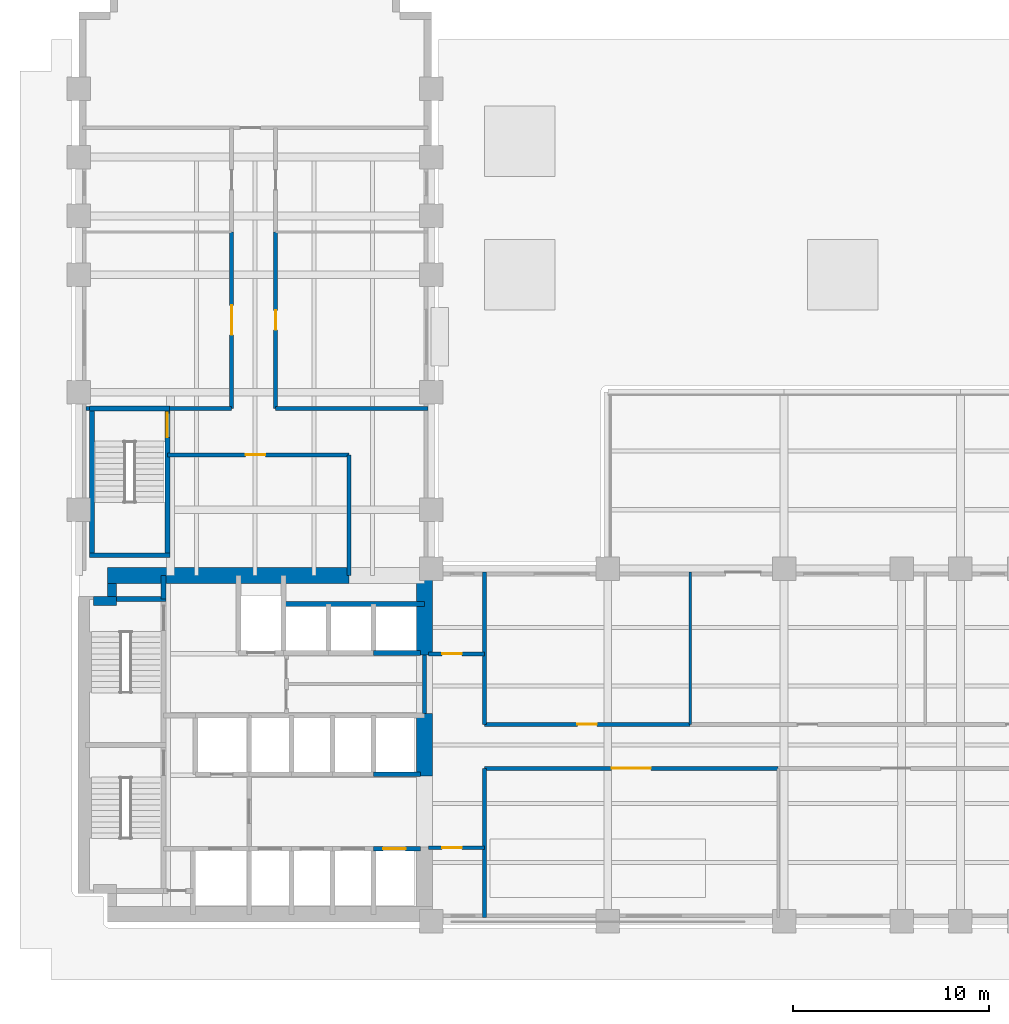
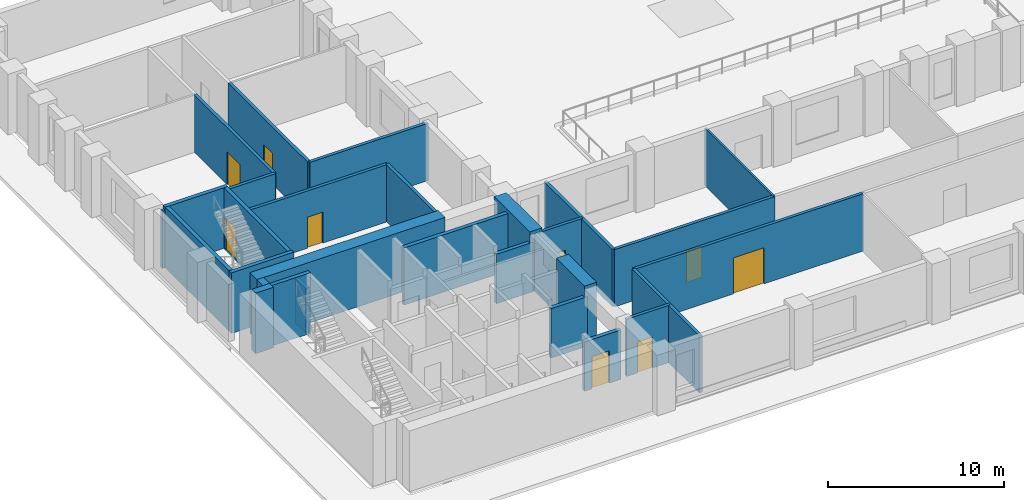
# One storey, part 5 of 9: 30 walls, 9 doors, 9 openings.
"""IFC4 building model written with IfcOpenShell, lengths in metres."""

from ifc_helpers import new_model, si_unit, direction, frame, frame_2d, origin, place, context, subcontext, project, spatial, rectangle, extrude, material, layer, layer_set, type_object, element, fill, save


model = new_model("IFC4")

# Units and contexts
model_context = context("Model", 3, precision=1e-05, world=origin(), true_north=direction((0.0, 1.0)))
body_context = subcontext(model_context, "Body", "Model", "MODEL_VIEW")
ifc_project = project(units=[si_unit("LENGTHUNIT", "METRE"), si_unit("AREAUNIT", "SQUARE_METRE"), si_unit("VOLUMEUNIT", "CUBIC_METRE"), si_unit("PLANEANGLEUNIT", "RADIAN"), si_unit("MASSUNIT", "GRAM", prefix="KILO")], contexts=[model_context])

# Site, building, storey
site_placement = place(None, origin())
site = spatial("IfcSite", under=ifc_project, at=site_placement, CompositionType="ELEMENT")
building_placement = place(site_placement, origin())
building = spatial("IfcBuilding", under=site, at=building_placement, Name="Mawjdan Bourse Tower", CompositionType="ELEMENT")
storey_placement = place(building_placement, frame((0.0, 0.0, 21.60009765625)))
storey = spatial("IfcBuildingStorey", under=building, at=storey_placement, Name="L04", CompositionType="ELEMENT", Elevation=21.60009765625)

# Wall
ifc_material_1 = material(Name="Gypsum Fireboard Assembly")
ifc_layer_1 = layer(ifc_material_1, 0.199951171875)
ifc_layer_set_1 = layer_set([ifc_layer_1], Name="Gypsum Fireboard Assembly")
wall_type_1 = type_object("IfcWallType", Name="WL-CMP-200", PredefinedType="PARTITIONING", material=ifc_layer_set_1)
wall_1_placement = place(storey_placement, frame((23.64990234375, 13.60009765625, 0.0), z_axis=(0.0, 0.0, 1.0), x_axis=(0.0, 1.0, 0.0)))
element("IfcWall", 1, at=wall_1_placement, inside=storey, type_object=wall_type_1, Name="L04 Core Restroom East Enclosing Wall", PredefinedType="PARTITIONING", context=body_context, shape_type="SweptSolid", body=[
    extrude(rectangle(XDim=3.0, YDim=0.199951171875, at=frame_2d((1.5, 0.0))), origin(), (0.0, 0.0, 1.0), 3.969970703125),
])

# Wall, opening, door
wall_2_placement = place(storey_placement, frame((23.85009765625, 6.75, 0.0), z_axis=(0.0, 0.0, 1.0), x_axis=(1.0, 0.0, 0.0)))
wall_2 = element("IfcWall", 2, at=wall_2_placement, inside=storey, type_object=wall_type_1, Name="L04 West Pocket North Wall", PredefinedType="PARTITIONING", context=body_context, shape_type="SweptSolid", body=[
    extrude(rectangle(XDim=2.849853515625, YDim=0.199951171875, at=frame_2d((1.4248046875, 0.0))), origin(), (0.0, 0.0, 1.0), 3.969970703125),
])
opening_1_placement = place(wall_2_placement, frame((0.699951171875, 0.0, 0.0)))
opening_1 = element("IfcOpeningElement", 3, at=opening_1_placement, cuts=wall_2, Name="Opening D-L04-17", PredefinedType="OPENING", context=body_context, shape_type="SweptSolid", body=[
    extrude(rectangle(XDim=1.0, YDim=2.14990234375, at=frame_2d((0.5, 1.074951171875))), frame((0.0, 0.10986328125, 0.0), z_axis=(0.0, -1.0, 0.0), x_axis=(1.0, 0.0, 0.0)), (0.0, 0.0, 1.0), 0.219970703125),
])
ifc_material_2 = material(Name="Hardwood Acoustic Leaf", Category="wood")
door_type_1 = type_object("IfcDoorType", Name="DR-OFC-1000", OperationType="NOTDEFINED", PredefinedType="DOOR", material=ifc_material_2)
door_1_placement = place(opening_1_placement, origin())
door_1 = element("IfcDoor", 4, at=door_1_placement, inside=storey, type_object=door_type_1, Name="L04 West Pocket Office Door D-L04-17", OperationType="SINGLE_SWING_RIGHT", OverallHeight=2.14990234375, OverallWidth=1.0, PredefinedType="DOOR", context=body_context, shape_type="SweptSolid", body=[
    extrude(rectangle(XDim=1.0, YDim=2.14990234375, at=frame_2d((0.5, 1.074951171875))), frame((0.0, 0.02490234375, 0.0), z_axis=(0.0, -1.0, 0.0), x_axis=(1.0, 0.0, 0.0)), (0.0, 0.0, 1.0), 0.050048828125),
])
fill(opening_1, door_1)

wall_3_placement = place(storey_placement, frame((23.85009765625, 16.64990234375, 0.0), z_axis=(0.0, 0.0, 1.0), x_axis=(1.0, 0.0, 0.0)))
wall_3 = element("IfcWall", 5, at=wall_3_placement, inside=storey, type_object=wall_type_1, Name="L04 West North Pocket Wall", PredefinedType="PARTITIONING", context=body_context, shape_type="SweptSolid", body=[
    extrude(rectangle(XDim=2.849853515625, YDim=0.199951171875, at=frame_2d((1.4248046875, 0.0))), origin(), (0.0, 0.0, 1.0), 3.969970703125),
])
opening_2_placement = place(wall_3_placement, frame((0.699951171875, 0.0, 0.0)))
opening_2 = element("IfcOpeningElement", 6, at=opening_2_placement, cuts=wall_3, Name="Opening D-L04-18", PredefinedType="OPENING", context=body_context, shape_type="SweptSolid", body=[
    extrude(rectangle(XDim=1.0, YDim=2.14990234375, at=frame_2d((0.5, 1.074951171875))), frame((0.0, 0.10986328125, 0.0), z_axis=(0.0, -1.0, 0.0), x_axis=(1.0, 0.0, 0.0)), (0.0, 0.0, 1.0), 0.219970703125),
])
door_2_placement = place(opening_2_placement, origin())
door_2 = element("IfcDoor", 7, at=door_2_placement, inside=storey, type_object=door_type_1, Name="L04 West North Pocket Door D-L04-18", OperationType="SINGLE_SWING_LEFT", OverallHeight=2.14990234375, OverallWidth=1.0, PredefinedType="DOOR", context=body_context, shape_type="SweptSolid", body=[
    extrude(rectangle(XDim=1.0, YDim=2.14990234375, at=frame_2d((0.5, 1.074951171875))), frame((0.0, 0.02490234375, 0.0), z_axis=(0.0, -1.0, 0.0), x_axis=(1.0, 0.0, 0.0)), (0.0, 0.0, 1.0), 0.050048828125),
])
fill(opening_2, door_2)

# Walls
wall_4_placement = place(storey_placement, frame((26.699951171875, 3.179931640625, 0.0), z_axis=(0.0, 0.0, 1.0), x_axis=(0.0, 1.0, 0.0)))
element("IfcWall", 8, at=wall_4_placement, inside=storey, type_object=wall_type_1, Name="L04 Vestibule South East Wall", PredefinedType="PARTITIONING", context=body_context, shape_type="SweptSolid", body=[
    extrude(rectangle(XDim=7.6201171875, YDim=0.199951171875, at=frame_2d((3.81005859375, 0.0))), origin(), (0.0, 0.0, 1.0), 3.969970703125),
])
wall_5_placement = place(storey_placement, frame((26.699951171875, 13.050048828125, 0.0), z_axis=(0.0, 0.0, 1.0), x_axis=(0.0, 1.0, 0.0)))
element("IfcWall", 9, at=wall_5_placement, inside=storey, type_object=wall_type_1, Name="L04 Vestibule North East Wall", PredefinedType="PARTITIONING", context=body_context, shape_type="SweptSolid", body=[
    extrude(rectangle(XDim=7.77001953125, YDim=0.199951171875, at=frame_2d((3.885009765625, 0.0))), origin(), (0.0, 0.0, 1.0), 3.969970703125),
])

# Wall, opening, door
wall_6_placement = place(storey_placement, frame((26.699951171875, 10.800048828125, 0.0), z_axis=(0.0, 0.0, 1.0), x_axis=(1.0, 0.0, 0.0)))
wall_6 = element("IfcWall", 10, at=wall_6_placement, inside=storey, type_object=wall_type_1, Name="L04 Trading Floor Corridor Wall", PredefinedType="PARTITIONING", context=body_context, shape_type="SweptSolid", body=[
    extrude(rectangle(XDim=15.0, YDim=0.199951171875, at=frame_2d((7.5, 0.0))), origin(), (0.0, 0.0, 1.0), 3.969970703125),
])
opening_3_placement = place(wall_6_placement, frame((6.5, 0.0, 0.0)))
opening_3 = element("IfcOpeningElement", 11, at=opening_3_placement, cuts=wall_6, Name="Opening D-L04-19", PredefinedType="OPENING", context=body_context, shape_type="SweptSolid", body=[
    extrude(rectangle(XDim=2.0, YDim=2.5, at=frame_2d((1.0, 1.25))), frame((0.0, 0.10986328125, 0.0), z_axis=(0.0, -1.0, 0.0), x_axis=(1.0, 0.0, 0.0)), (0.0, 0.0, 1.0), 0.219970703125),
])
ifc_material_3 = material(Name="Acoustic Veneered Timber", Category="wood")
door_type_2 = type_object("IfcDoorType", Name="DR-ASM-2000", OperationType="DOUBLE_DOOR_SINGLE_SWING", PredefinedType="DOOR", material=ifc_material_3)
door_3_placement = place(opening_3_placement, origin())
door_3 = element("IfcDoor", 12, at=door_3_placement, inside=storey, type_object=door_type_2, Name="L04 Trading Floor Door D-L04-19", OperationType="DOUBLE_DOOR_SINGLE_SWING", OverallHeight=2.5, OverallWidth=2.0, PredefinedType="DOOR", context=body_context, shape_type="SweptSolid", body=[
    extrude(rectangle(XDim=2.0, YDim=2.5, at=frame_2d((1.0, 1.25))), frame((0.0, 0.02490234375, 0.0), z_axis=(0.0, -1.0, 0.0), x_axis=(1.0, 0.0, 0.0)), (0.0, 0.0, 1.0), 0.050048828125),
])
fill(opening_3, door_3)

wall_7_placement = place(storey_placement, frame((26.699951171875, 13.050048828125, 0.0), z_axis=(0.0, 0.0, 1.0), x_axis=(1.0, 0.0, 0.0)))
wall_7 = element("IfcWall", 13, at=wall_7_placement, inside=storey, type_object=wall_type_1, Name="L04 Executive Office Corridor Wall", PredefinedType="PARTITIONING", context=body_context, shape_type="SweptSolid", body=[
    extrude(rectangle(XDim=10.5, YDim=0.199951171875, at=frame_2d((5.25, 0.0))), origin(), (0.0, 0.0, 1.0), 3.969970703125),
])
opening_4_placement = place(wall_7_placement, frame((4.75, 0.0, 0.0)))
opening_4 = element("IfcOpeningElement", 14, at=opening_4_placement, cuts=wall_7, Name="Opening D-L04-22", PredefinedType="OPENING", context=body_context, shape_type="SweptSolid", body=[
    extrude(rectangle(XDim=1.0, YDim=2.14990234375, at=frame_2d((0.5, 1.074951171875))), frame((0.0, 0.10986328125, 0.0), z_axis=(0.0, -1.0, 0.0), x_axis=(1.0, 0.0, 0.0)), (0.0, 0.0, 1.0), 0.219970703125),
])
door_4_placement = place(opening_4_placement, origin())
door_4 = element("IfcDoor", 15, at=door_4_placement, inside=storey, type_object=door_type_1, Name="L04 Executive Office Door D-L04-22", OperationType="SINGLE_SWING_LEFT", OverallHeight=2.14990234375, OverallWidth=1.0, PredefinedType="DOOR", context=body_context, shape_type="SweptSolid", body=[
    extrude(rectangle(XDim=1.0, YDim=2.14990234375, at=frame_2d((0.5, 1.074951171875))), frame((0.0, 0.02490234375, 0.0), z_axis=(0.0, -1.0, 0.0), x_axis=(1.0, 0.0, 0.0)), (0.0, 0.0, 1.0), 0.050048828125),
])
fill(opening_4, door_4)

wall_8_placement = place(storey_placement, frame((10.52001953125, 26.800048828125, 0.0), z_axis=(0.0, 0.0, 1.0), x_axis=(1.0, 0.0, 0.0)))
wall_8 = element("IfcWall", 16, at=wall_8_placement, inside=storey, type_object=wall_type_1, Name="L04 North Throat North Wall", PredefinedType="PARTITIONING", context=body_context, shape_type="SweptSolid", body=[
    extrude(rectangle(XDim=9.280029296875, YDim=0.199951171875, at=frame_2d((4.64013671875, 0.0))), origin(), (0.0, 0.0, 1.0), 3.969970703125),
])
opening_5_placement = place(wall_8_placement, frame((4.0, 0.0, 0.0)))
opening_5 = element("IfcOpeningElement", 17, at=opening_5_placement, cuts=wall_8, Name="Opening D-L04-26", PredefinedType="OPENING", context=body_context, shape_type="SweptSolid", body=[
    extrude(rectangle(XDim=1.0, YDim=2.14990234375, at=frame_2d((0.5, 1.074951171875))), frame((0.0, 0.10986328125, 0.0), z_axis=(0.0, -1.0, 0.0), x_axis=(1.0, 0.0, 0.0)), (0.0, 0.0, 1.0), 0.219970703125),
])
door_5_placement = place(opening_5_placement, origin())
door_5 = element("IfcDoor", 18, at=door_5_placement, inside=storey, type_object=door_type_1, Name="L04 North Throat Suite Door D-L04-26", OperationType="SINGLE_SWING_LEFT", OverallHeight=2.14990234375, OverallWidth=1.0, PredefinedType="DOOR", context=body_context, shape_type="SweptSolid", body=[
    extrude(rectangle(XDim=1.0, YDim=2.14990234375, at=frame_2d((0.5, 1.074951171875))), frame((0.0, 0.02490234375, 0.0), z_axis=(0.0, -1.0, 0.0), x_axis=(1.0, 0.0, 0.0)), (0.0, 0.0, 1.0), 0.050048828125),
])
fill(opening_5, door_5)

# Walls
wall_9_placement = place(storey_placement, frame((19.800048828125, 20.64990234375, 0.0), z_axis=(0.0, 0.0, 1.0), x_axis=(0.0, 1.0, 0.0)))
element("IfcWall", 19, at=wall_9_placement, inside=storey, type_object=wall_type_1, Name="L04 North Throat East Wall", PredefinedType="PARTITIONING", context=body_context, shape_type="SweptSolid", body=[
    extrude(rectangle(XDim=6.150146484375, YDim=0.199951171875, at=frame_2d((3.0751953125, 0.0))), origin(), (0.0, 0.0, 1.0), 3.969970703125),
])
wall_10_placement = place(storey_placement, frame((6.3798828125, 29.179931640625, 0.0), z_axis=(0.0, 0.0, 1.0), x_axis=(1.0, 0.0, 0.0)))
element("IfcWall", 20, at=wall_10_placement, inside=storey, type_object=wall_type_1, Name="L04 North West Band ST3 West Return", PredefinedType="PARTITIONING", context=body_context, shape_type="SweptSolid", body=[
    extrude(rectangle(XDim=0.175048828125, YDim=0.199951171875, at=frame_2d((0.08740234375, 0.0))), origin(), (0.0, 0.0, 1.0), 3.969970703125),
])
wall_11_placement = place(storey_placement, frame((10.6298828125, 29.179931640625, 0.0), z_axis=(0.0, 0.0, 1.0), x_axis=(1.0, 0.0, 0.0)))
element("IfcWall", 21, at=wall_11_placement, inside=storey, type_object=wall_type_1, Name="L04 North West Band South Wall", PredefinedType="PARTITIONING", context=body_context, shape_type="SweptSolid", body=[
    extrude(rectangle(XDim=3.170166015625, YDim=0.199951171875, at=frame_2d((1.5849609375, 0.0))), origin(), (0.0, 0.0, 1.0), 3.969970703125),
])
wall_12_placement = place(storey_placement, frame((16.050048828125, 29.179931640625, 0.0), z_axis=(0.0, 0.0, 1.0), x_axis=(1.0, 0.0, 0.0)))
element("IfcWall", 22, at=wall_12_placement, inside=storey, type_object=wall_type_1, Name="L04 North East Band South Wall", PredefinedType="PARTITIONING", context=body_context, shape_type="SweptSolid", body=[
    extrude(rectangle(XDim=7.77001953125, YDim=0.199951171875, at=frame_2d((3.885009765625, 0.0))), origin(), (0.0, 0.0, 1.0), 3.969970703125),
])

# Wall, opening, door
wall_13_placement = place(storey_placement, frame((13.800048828125, 29.179931640625, 0.0), z_axis=(0.0, 0.0, 1.0), x_axis=(0.0, 1.0, 0.0)))
wall_13 = element("IfcWall", 23, at=wall_13_placement, inside=storey, type_object=wall_type_1, Name="L04 Conference Room Corridor Wall", PredefinedType="PARTITIONING", context=body_context, shape_type="SweptSolid", body=[
    extrude(rectangle(XDim=9.0, YDim=0.199951171875, at=frame_2d((4.5, 0.0))), origin(), (0.0, 0.0, 1.0), 3.969970703125),
])
opening_6_placement = place(wall_13_placement, frame((3.75, 0.0, 0.0)))
opening_6 = element("IfcOpeningElement", 24, at=opening_6_placement, cuts=wall_13, Name="Opening D-L04-27", PredefinedType="OPENING", context=body_context, shape_type="SweptSolid", body=[
    extrude(rectangle(XDim=1.5, YDim=2.300048828125, at=frame_2d((0.75, 1.14990234375))), frame((0.0, 0.10986328125, 0.0), z_axis=(0.0, -1.0, 0.0), x_axis=(1.0, 0.0, 0.0)), (0.0, 0.0, 1.0), 0.219970703125),
])
ifc_material_4 = material(Name="Acoustic Glazed Timber", Category="wood")
door_type_3 = type_object("IfcDoorType", Name="DR-CNF-1500", OperationType="DOUBLE_DOOR_SINGLE_SWING", PredefinedType="DOOR", material=ifc_material_4)
door_6_placement = place(opening_6_placement, origin())
door_6 = element("IfcDoor", 25, at=door_6_placement, inside=storey, type_object=door_type_3, Name="L04 Conference Room Door D-L04-27", OperationType="DOUBLE_DOOR_SINGLE_SWING", OverallHeight=2.300048828125, OverallWidth=1.5, PredefinedType="DOOR", context=body_context, shape_type="SweptSolid", body=[
    extrude(rectangle(XDim=1.5, YDim=2.300048828125, at=frame_2d((0.75, 1.14990234375))), frame((0.0, 0.02490234375, 0.0), z_axis=(0.0, -1.0, 0.0), x_axis=(1.0, 0.0, 0.0)), (0.0, 0.0, 1.0), 0.050048828125),
])
fill(opening_6, door_6)

wall_14_placement = place(storey_placement, frame((16.050048828125, 29.179931640625, 0.0), z_axis=(0.0, 0.0, 1.0), x_axis=(0.0, 1.0, 0.0)))
wall_14 = element("IfcWall", 26, at=wall_14_placement, inside=storey, type_object=wall_type_1, Name="L04 Reception Salon Corridor Wall", PredefinedType="PARTITIONING", context=body_context, shape_type="SweptSolid", body=[
    extrude(rectangle(XDim=9.0, YDim=0.199951171875, at=frame_2d((4.5, 0.0))), origin(), (0.0, 0.0, 1.0), 3.969970703125),
])
opening_7_placement = place(wall_14_placement, frame((4.0, 0.0, 0.0)))
opening_7 = element("IfcOpeningElement", 27, at=opening_7_placement, cuts=wall_14, Name="Opening D-L04-29", PredefinedType="OPENING", context=body_context, shape_type="SweptSolid", body=[
    extrude(rectangle(XDim=1.0, YDim=2.14990234375, at=frame_2d((0.5, 1.074951171875))), frame((0.0, 0.10986328125, 0.0), z_axis=(0.0, -1.0, 0.0), x_axis=(1.0, 0.0, 0.0)), (0.0, 0.0, 1.0), 0.219970703125),
])
door_7_placement = place(opening_7_placement, origin())
door_7 = element("IfcDoor", 28, at=door_7_placement, inside=storey, type_object=door_type_1, Name="L04 Reception Salon Door D-L04-29", OperationType="SINGLE_SWING_LEFT", OverallHeight=2.14990234375, OverallWidth=1.0, PredefinedType="DOOR", context=body_context, shape_type="SweptSolid", body=[
    extrude(rectangle(XDim=1.0, YDim=2.14990234375, at=frame_2d((0.5, 1.074951171875))), frame((0.0, 0.02490234375, 0.0), z_axis=(0.0, -1.0, 0.0), x_axis=(1.0, 0.0, 0.0)), (0.0, 0.0, 1.0), 0.050048828125),
])
fill(opening_7, door_7)

# Walls
ifc_material_5 = material(Name="Concrete C60/75", Category="concrete")
ifc_layer_2 = layer(ifc_material_5, 0.449951171875)
ifc_layer_set_2 = layer_set([ifc_layer_2], Name="Concrete C60/75")
wall_type_2 = type_object("IfcWallType", Name="WL-CORE-450", PredefinedType="SHEAR", material=ifc_layer_set_2)
wall_15_placement = place(storey_placement, frame((6.75, 19.35009765625, 0.0), z_axis=(0.0, 0.0, 1.0), x_axis=(1.0, 0.0, 0.0)))
element("IfcWall", 29, at=wall_15_placement, inside=storey, type_object=wall_type_2, Name="L04 Rear Core Shear Wall NW-X", PredefinedType="SHEAR", context=body_context, shape_type="SweptSolid", body=[
    extrude(rectangle(XDim=1.175048828125, YDim=0.449951171875, at=frame_2d((0.58740234375, 0.0))), origin(), (0.0, 0.0, 1.0), 4.199951171875),
])
wall_16_placement = place(storey_placement, frame((7.699951171875, 19.574951171875, 0.0), z_axis=(0.0, 0.0, 1.0), x_axis=(0.0, 1.0, 0.0)))
element("IfcWall", 30, at=wall_16_placement, inside=storey, type_object=wall_type_2, Name="L04 Rear Core Shear Wall NW-Y", PredefinedType="SHEAR", context=body_context, shape_type="SweptSolid", body=[
    extrude(rectangle(XDim=0.675048828125, YDim=0.449951171875, at=frame_2d((0.33740234375, 0.0))), origin(), (0.0, 0.0, 1.0), 4.199951171875),
])
ifc_material_6 = material(Name="Concrete C80/95", Category="concrete")
ifc_layer_3 = layer(ifc_material_6, 0.800048828125)
ifc_layer_set_3 = layer_set([ifc_layer_3], Name="Concrete C80/95")
wall_type_3 = type_object("IfcWallType", Name="WL-CORE-800", PredefinedType="SHEAR", material=ifc_layer_set_3)
wall_17_placement = place(storey_placement, frame((7.47509765625, 20.64990234375, 0.0), z_axis=(0.0, 0.0, 1.0), x_axis=(1.0, 0.0, 0.0)))
element("IfcWall", 31, at=wall_17_placement, inside=storey, type_object=wall_type_3, Name="L04 Rear Core Shear Wall N", PredefinedType="SHEAR", context=body_context, shape_type="SweptSolid", body=[
    extrude(rectangle(XDim=12.324951171875, YDim=0.800048828125, at=frame_2d((6.16259765625, 0.0))), origin(), (0.0, 0.0, 1.0), 4.199951171875),
])
wall_18_placement = place(storey_placement, frame((23.64990234375, 10.39990234375, 0.0), z_axis=(0.0, 0.0, 1.0), x_axis=(0.0, 1.0, 0.0)))
element("IfcWall", 32, at=wall_18_placement, inside=storey, type_object=wall_type_3, Name="L04 Rear Core Shear Wall E2", PredefinedType="SHEAR", context=body_context, shape_type="SweptSolid", body=[
    extrude(rectangle(XDim=3.2001953125, YDim=0.800048828125, at=frame_2d((1.60009765625, 0.0))), origin(), (0.0, 0.0, 1.0), 4.199951171875),
])
wall_19_placement = place(storey_placement, frame((23.64990234375, 16.60009765625, 0.0), z_axis=(0.0, 0.0, 1.0), x_axis=(0.0, 1.0, 0.0)))
element("IfcWall", 33, at=wall_19_placement, inside=storey, type_object=wall_type_3, Name="L04 Rear Core Shear Wall E3", PredefinedType="SHEAR", context=body_context, shape_type="SweptSolid", body=[
    extrude(rectangle(XDim=4.0498046875, YDim=0.800048828125, at=frame_2d((2.02490234375, 0.0))), origin(), (0.0, 0.0, 1.0), 4.199951171875),
])
ifc_material_7 = material(Name="Gypsum Partition")
ifc_layer_4 = layer(ifc_material_7, 0.125)
ifc_layer_set_4 = layer_set([ifc_layer_4], Name="Gypsum Partition")
wall_type_4 = type_object("IfcWallType", Name="WL-PRT-125", PredefinedType="PARTITIONING", material=ifc_layer_set_4)
wall_20_placement = place(storey_placement, frame((37.199951171875, 13.050048828125, 0.0), z_axis=(0.0, 0.0, 1.0), x_axis=(0.0, 1.0, 0.0)))
element("IfcWall", 34, at=wall_20_placement, inside=storey, type_object=wall_type_4, Name="L04 Reception Salon Partition", PredefinedType="PARTITIONING", context=body_context, shape_type="SweptSolid", body=[
    extrude(rectangle(XDim=7.77001953125, YDim=0.125, at=frame_2d((3.885009765625, 0.0))), origin(), (0.0, 0.0, 1.0), 3.969970703125),
])
ifc_material_8 = material(Name="Concrete C50/60", Category="concrete")
ifc_layer_5 = layer(ifc_material_8, 0.25)
ifc_layer_set_5 = layer_set([ifc_layer_5], Name="Concrete C50/60")
wall_type_5 = type_object("IfcWallType", Name="WL-SHFT-250", PredefinedType="PARTITIONING", material=ifc_layer_set_5)
wall_21_placement = place(storey_placement, frame((10.330078125, 19.449951171875, 0.0), z_axis=(0.0, 0.0, 1.0), x_axis=(0.0, 1.0, 0.0)))
element("IfcWall", 35, at=wall_21_placement, inside=storey, type_object=wall_type_5, Name="L04 NW Riser East Wall", PredefinedType="PARTITIONING", context=body_context, shape_type="SweptSolid", body=[
    extrude(rectangle(XDim=1.199951171875, YDim=0.25, at=frame_2d((0.60009765625, 0.0))), origin(), (0.0, 0.0, 1.0), 3.114013671875),
])
wall_22_placement = place(storey_placement, frame((21.050048828125, 16.699951171875, 0.0), z_axis=(0.0, 0.0, 1.0), x_axis=(1.0, 0.0, 0.0)))
element("IfcWall", 36, at=wall_22_placement, inside=storey, type_object=wall_type_5, Name="L04 PH-03 Front Wall", PredefinedType="PARTITIONING", context=body_context, shape_type="SweptSolid", body=[
    extrude(rectangle(XDim=2.39990234375, YDim=0.25, at=frame_2d((1.199951171875, 0.0))), origin(), (0.0, 0.0, 1.0), 3.42578125),
])
wall_23_placement = place(storey_placement, frame((16.449951171875, 19.199951171875, 0.0), z_axis=(0.0, 0.0, 1.0), x_axis=(1.0, 0.0, 0.0)))
element("IfcWall", 37, at=wall_23_placement, inside=storey, type_object=wall_type_5, Name="L04 PH Bank North Shaft Back Wall", PredefinedType="PARTITIONING", context=body_context, shape_type="SweptSolid", body=[
    extrude(rectangle(XDim=7.199951171875, YDim=0.25, at=frame_2d((3.60009765625, 0.0))), origin(), (0.0, 0.0, 1.0), 3.969970703125),
])

# Wall, opening, door
wall_24_placement = place(storey_placement, frame((21.050048828125, 6.699951171875, 0.0), z_axis=(0.0, 0.0, 1.0), x_axis=(1.0, 0.0, 0.0)))
wall_24 = element("IfcWall", 38, at=wall_24_placement, inside=storey, type_object=wall_type_5, Name="L04 PL-03 Front Wall", PredefinedType="PARTITIONING", context=body_context, shape_type="SweptSolid", body=[
    extrude(rectangle(XDim=2.39990234375, YDim=0.25, at=frame_2d((1.199951171875, 0.0))), origin(), (0.0, 0.0, 1.0), 3.42578125),
])
opening_8_placement = place(wall_24_placement, frame((0.47998046875, 0.0, 0.0)))
opening_8 = element("IfcOpeningElement", 39, at=opening_8_placement, cuts=wall_24, Name="Opening LD-L04-13", PredefinedType="OPENING", context=body_context, shape_type="SweptSolid", body=[
    extrude(rectangle(XDim=1.14990234375, YDim=2.25, at=frame_2d((0.574951171875, 1.125))), frame((0.0, 0.135009765625, 0.0), z_axis=(0.0, -1.0, 0.0), x_axis=(1.0, 0.0, 0.0)), (0.0, 0.0, 1.0), 0.27001953125),
])
ifc_material_9 = material(Name="Brushed Stainless Steel", Category="steel")
door_type_4 = type_object("IfcDoorType", Name="LD-PAS-1150", OperationType="DOUBLE_DOOR_SLIDING", PredefinedType="DOOR", material=ifc_material_9)
door_8_placement = place(opening_8_placement, origin())
door_8 = element("IfcDoor", 40, at=door_8_placement, inside=storey, type_object=door_type_4, Name="L04 Lift PL-03 Landing Door LD-L04-13", OperationType="DOUBLE_DOOR_SLIDING", OverallHeight=2.25, OverallWidth=1.14990234375, PredefinedType="DOOR", context=body_context, shape_type="SweptSolid", body=[
    extrude(rectangle(XDim=1.14990234375, YDim=2.25, at=frame_2d((0.574951171875, 1.125))), frame((0.0, 0.02490234375, 0.0), z_axis=(0.0, -1.0, 0.0), x_axis=(1.0, 0.0, 0.0)), (0.0, 0.0, 1.0), 0.050048828125),
])
fill(opening_8, door_8)

# Walls
wall_25_placement = place(storey_placement, frame((21.050048828125, 10.5, 0.0), z_axis=(0.0, 0.0, 1.0), x_axis=(1.0, 0.0, 0.0)))
element("IfcWall", 41, at=wall_25_placement, inside=storey, type_object=wall_type_5, Name="L04 PM-04 Front Wall", PredefinedType="PARTITIONING", context=body_context, shape_type="SweptSolid", body=[
    extrude(rectangle(XDim=2.39990234375, YDim=0.25, at=frame_2d((1.199951171875, 0.0))), origin(), (0.0, 0.0, 1.0), 3.42578125),
])
ifc_layer_6 = layer(ifc_material_8, 0.25)
ifc_layer_set_6 = layer_set([ifc_layer_6], Name="Concrete C50/60")
wall_type_6 = type_object("IfcWallType", Name="WL-STRW-250", PredefinedType="SHEAR", material=ifc_layer_set_6)
wall_26_placement = place(storey_placement, frame((7.699951171875, 19.449951171875, 0.0), z_axis=(0.0, 0.0, 1.0), x_axis=(1.0, 0.0, 0.0)))
element("IfcWall", 42, at=wall_26_placement, inside=storey, type_object=wall_type_6, Name="L04 Stairwell ST2 North Shaft Wall", PredefinedType="SHEAR", context=body_context, shape_type="SweptSolid", body=[
    extrude(rectangle(XDim=2.755126953125, YDim=0.25, at=frame_2d((1.37744140625, 0.0))), origin(), (0.0, 0.0, 1.0), 4.199951171875),
])
for number, where, z_axis, x_axis, name in (
    (43, (6.554931640625, 21.679931640625, 0.0), (0.0, 0.0, 1.0), (1.0, 0.0, 0.0), "L04 ST3 South Shaft Wall"),
    (44, (6.554931640625, 29.179931640625, 0.0), (0.0, 0.0, 1.0), (1.0, 0.0, 0.0), "L04 ST3 North Shaft Wall"),
):
    element("IfcWall", number, at=place(storey_placement, frame(where, z_axis=z_axis, x_axis=x_axis)), inside=storey, type_object=wall_type_6, Name=name, PredefinedType="SHEAR", context=body_context, shape_type="SweptSolid", body=[
        extrude(rectangle(XDim=4.090087890625, YDim=0.25, at=frame_2d((2.044921875, 0.0))), origin(), (0.0, 0.0, 1.0), 4.199951171875),
    ])
wall_27_placement = place(storey_placement, frame((6.679931640625, 21.679931640625, 0.0), z_axis=(0.0, 0.0, 1.0), x_axis=(0.0, 1.0, 0.0)))
element("IfcWall", 45, at=wall_27_placement, inside=storey, type_object=wall_type_6, Name="L04 ST3 West Shaft Wall", PredefinedType="SHEAR", context=body_context, shape_type="SweptSolid", body=[
    extrude(rectangle(XDim=7.5, YDim=0.25, at=frame_2d((3.75, 0.0))), origin(), (0.0, 0.0, 1.0), 4.199951171875),
])

# Wall, opening, door
wall_28_placement = place(storey_placement, frame((10.52001953125, 21.679931640625, 0.0), z_axis=(0.0, 0.0, 1.0), x_axis=(0.0, 1.0, 0.0)))
wall_28 = element("IfcWall", 46, at=wall_28_placement, inside=storey, type_object=wall_type_6, Name="L04 ST3 East Shaft Wall", PredefinedType="SHEAR", context=body_context, shape_type="SweptSolid", body=[
    extrude(rectangle(XDim=7.5, YDim=0.25, at=frame_2d((3.75, 0.0))), origin(), (0.0, 0.0, 1.0), 4.199951171875),
])
opening_9_placement = place(wall_28_placement, frame((6.02001953125, 0.0, 0.0)))
opening_9 = element("IfcOpeningElement", 47, at=opening_9_placement, cuts=wall_28, Name="Opening SD-L04-16", PredefinedType="OPENING", context=body_context, shape_type="SweptSolid", body=[
    extrude(rectangle(XDim=1.25, YDim=2.199951171875, at=frame_2d((0.625, 1.10009765625))), frame((0.0, 0.135009765625, 0.0), z_axis=(0.0, -1.0, 0.0), x_axis=(1.0, 0.0, 0.0)), (0.0, 0.0, 1.0), 0.27001953125),
])
ifc_material_10 = material(Name="Fire-Rated Steel Leaf", Category="steel")
door_type_5 = type_object("IfcDoorType", Name="FD-ST-1250", OperationType="NOTDEFINED", PredefinedType="DOOR", material=ifc_material_10)
door_9_placement = place(opening_9_placement, origin())
door_9 = element("IfcDoor", 48, at=door_9_placement, inside=storey, type_object=door_type_5, Name="L04 Stair ST3 Fire Door SD-L04-16", OperationType="SINGLE_SWING_LEFT", OverallHeight=2.199951171875, OverallWidth=1.25, PredefinedType="DOOR", context=body_context, shape_type="SweptSolid", body=[
    extrude(rectangle(XDim=1.25, YDim=2.199951171875, at=frame_2d((0.625, 1.10009765625))), frame((0.0, 0.02490234375, 0.0), z_axis=(0.0, -1.0, 0.0), x_axis=(1.0, 0.0, 0.0)), (0.0, 0.0, 1.0), 0.050048828125),
])
fill(opening_9, door_9)

save(model, "model.ifc")
